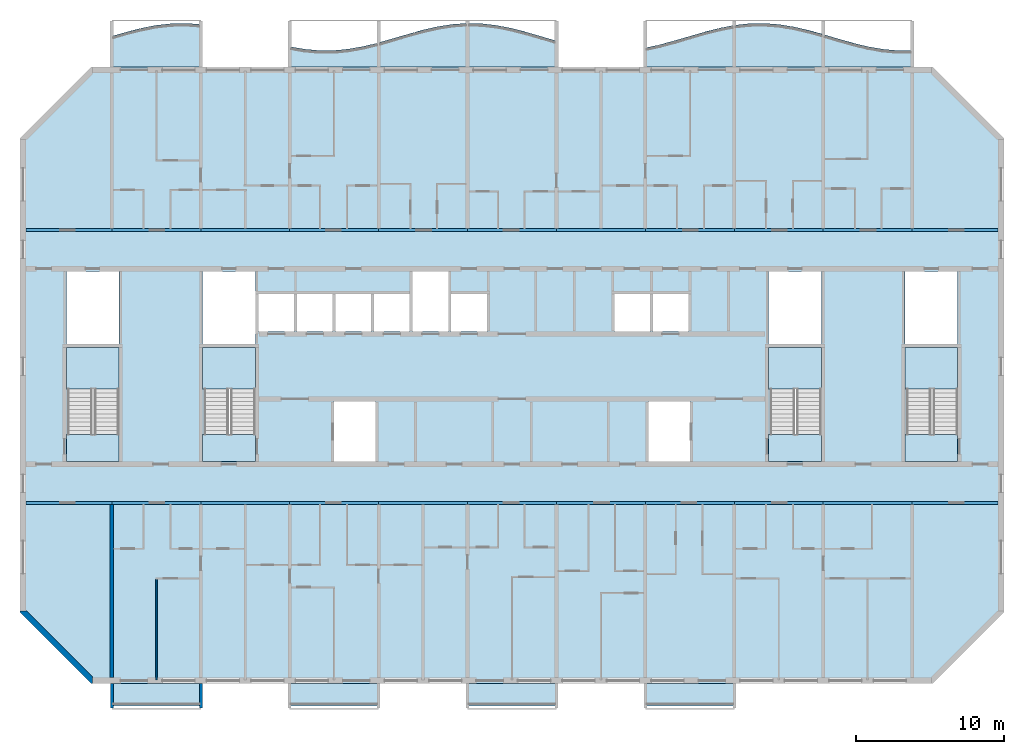
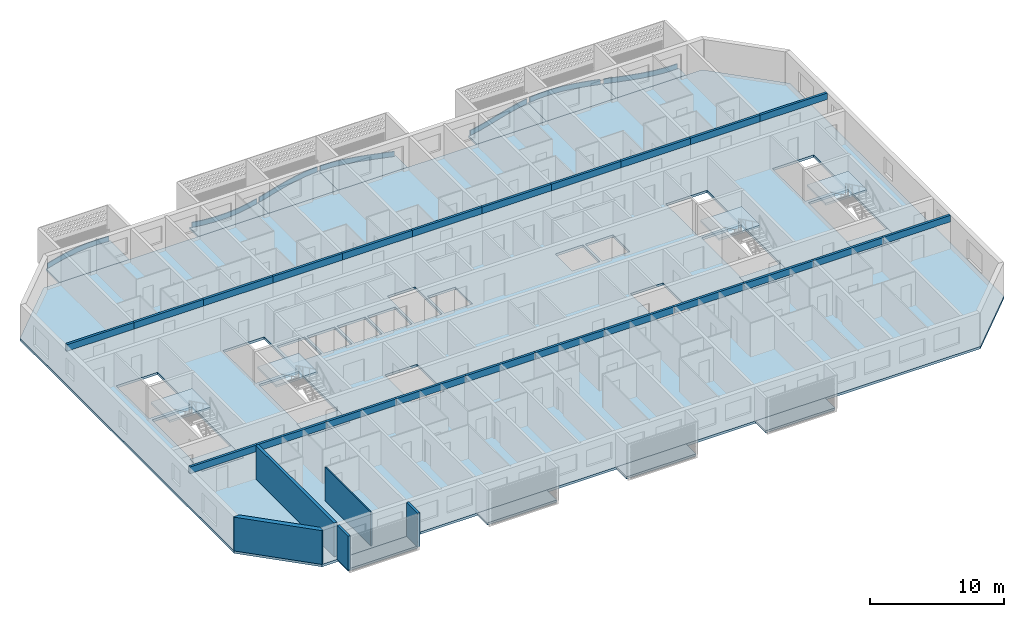
# One storey, part 1 of 29: 22 beams, 20 slabs, 7 plates, 5 walls, 4 elements without a shape of their own.
"""IFC4 building model written with IfcOpenShell, lengths in metres."""

import ifcopenshell
import ifcopenshell.guid

model = None  # the IFC model being written
_history = None  # IfcOwnerHistory: only IFC2X3 demands one
_inside = {}  # id of a spatial element -> (the spatial element, [elements in it])
_under = {}  # id of a project, library or spatial element -> (it, [spatial elements below it])
_declared = {}  # id of a project -> (the project, [libraries it declares])
_typed = {}  # id of a type object -> (the type object, [elements of that type])
_made_of = {}  # id of a material, layer set ... -> (it, [elements and type objects made of it])


def new_model(schema):
    """Start an empty IFC model of exactly this schema.

    Asked for "IFC4X3", IfcOpenShell would pick the latest addendum, in which some entities
    have other attributes; the version numbers below select the first issue.
    IFC2X3 requires an IfcOwnerHistory on every rooted entity: one is made here for all.
    """
    global model, _history
    if schema == "IFC4X3":
        model = ifcopenshell.file(schema_version=(4, 3, 0, 0))
    else:
        model = ifcopenshell.file(schema=schema)
    _inside.clear()
    _under.clear()
    _declared.clear()
    _typed.clear()
    _made_of.clear()
    _history = None
    if model.schema == "IFC2X3":
        org = make("IfcOrganization", Name="unknown")
        user = make(
            "IfcPersonAndOrganization",
            ThePerson=make("IfcPerson", FamilyName="unknown"),
            TheOrganization=org,
        )
        app = make(
            "IfcApplication",
            ApplicationDeveloper=org,
            Version="unknown",
            ApplicationFullName="unknown",
            ApplicationIdentifier="unknown",
        )
        _history = make(
            "IfcOwnerHistory",
            OwningUser=user,
            OwningApplication=app,
            ChangeAction="ADDED",
            CreationDate=0,
        )
    return model


def make(cls, **values):
    """One entity of the class cls with the attributes given. An attribute that is None is left unset."""
    return model.create_entity(
        cls, **{name: value for name, value in values.items() if value is not None}
    )


def rooted(cls, **values):
    """An entity with a GlobalId (a new one), such as an element, a storey or a relation."""
    return make(cls, GlobalId=ifcopenshell.guid.new(), OwnerHistory=_history, **values)


def si_unit(unit_type, name, prefix=None):
    """IfcSIUnit, for example si_unit("LENGTHUNIT", "METRE", prefix="MILLI")."""
    return make("IfcSIUnit", UnitType=unit_type, Prefix=prefix, Name=name)


def assignment(units):
    """IfcUnitAssignment: the units of a project."""
    return None if units is None else make("IfcUnitAssignment", Units=units)


def point(xyz):
    """IfcCartesianPoint."""
    return None if xyz is None else make("IfcCartesianPoint", Coordinates=xyz)


def direction(xyz):
    """IfcDirection."""
    return None if xyz is None else make("IfcDirection", DirectionRatios=xyz)


def frame(location, z_axis=None, x_axis=None):
    """IfcAxis2Placement3D, a coordinate frame: its origin and axes. An axis left out is left unset."""
    return make(
        "IfcAxis2Placement3D",
        Location=point(location),
        Axis=direction(z_axis),
        RefDirection=direction(x_axis),
    )


def frame_2d(location, x_axis=None):
    """IfcAxis2Placement2D, a coordinate frame in the plane: its origin and x axis."""
    return make(
        "IfcAxis2Placement2D", Location=point(location), RefDirection=direction(x_axis)
    )


def origin():
    """The frame at (0, 0, 0) with its axes left unset."""
    return frame((0.0, 0.0, 0.0))


def origin_2d():
    """The frame at (0, 0) in the plane with its x axis left unset."""
    return frame_2d((0.0, 0.0))


def place(relative_to, where):
    """IfcLocalPlacement: puts the frame where relative to a parent placement (None: the world)."""
    return make(
        "IfcLocalPlacement", PlacementRelTo=relative_to, RelativePlacement=where
    )


def context(
    kind, dimensions, precision=None, world=None, true_north=None, identifier=None
):
    """IfcGeometricRepresentationContext, for example the 3D "Model" context."""
    return make(
        "IfcGeometricRepresentationContext",
        ContextIdentifier=identifier,
        ContextType=kind,
        CoordinateSpaceDimension=dimensions,
        Precision=precision,
        WorldCoordinateSystem=world,
        TrueNorth=true_north,
    )


def subcontext(parent, identifier, kind, view, scale=None):
    """IfcGeometricRepresentationSubContext, for example "Body" below "Model"."""
    return make(
        "IfcGeometricRepresentationSubContext",
        ContextIdentifier=identifier,
        ContextType=kind,
        ParentContext=parent,
        TargetScale=scale,
        TargetView=view,
    )


def project(units=None, contexts=None):
    """IfcProject with its units and contexts."""
    return rooted(
        "IfcProject",
        Name="project",
        RepresentationContexts=contexts,
        UnitsInContext=assignment(units),
    )


def spatial(cls, under=None, at=None, **own):
    """A site, building, storey or space (cls), placed at a placement, below another one or the project."""
    s = rooted(cls, ObjectPlacement=at, **own)
    if under is not None:
        _under.setdefault(under.id(), (under, []))[1].append(s)
    return s


def polyline(points):
    """IfcPolyline through the points."""
    return make("IfcPolyline", Points=[point(p) for p in points])


def profile(cls, at=None, kind="AREA", **sizes):
    """A parametric profile (cls). Its sizes go by their IFC names, for example OverallWidth=200.0."""
    return make(cls, ProfileType=kind, Position=at, **sizes)


def rectangle(**sizes):
    """IfcRectangleProfileDef."""
    return profile("IfcRectangleProfileDef", **sizes)


def outline(outer, holes=None, kind="AREA"):
    """IfcArbitraryClosedProfileDef: a profile drawn as a closed curve; with holes, ...WithVoids."""
    if holes is None:
        return make("IfcArbitraryClosedProfileDef", ProfileType=kind, OuterCurve=outer)
    return make(
        "IfcArbitraryProfileDefWithVoids",
        ProfileType=kind,
        OuterCurve=outer,
        InnerCurves=holes,
    )


def extrude(swept, where, along, depth):
    """IfcExtrudedAreaSolid: the profile swept, set in the frame where, extruded along a direction by depth."""
    return make(
        "IfcExtrudedAreaSolid",
        SweptArea=swept,
        Position=where,
        ExtrudedDirection=direction(along),
        Depth=depth,
    )


def shape(context_of_items, identifier, shape_type, items):
    """IfcShapeRepresentation: the items that make up one representation, for example the "Body"."""
    return make(
        "IfcShapeRepresentation",
        ContextOfItems=context_of_items,
        RepresentationIdentifier=identifier,
        RepresentationType=shape_type,
        Items=items,
    )


def source(mapping_origin, context_of_items, identifier, shape_type, items):
    """IfcRepresentationMap: a shape defined once, which mapped items show again and again."""
    return make(
        "IfcRepresentationMap",
        MappingOrigin=mapping_origin,
        MappedRepresentation=shape(context_of_items, identifier, shape_type, items),
    )


def transform(
    local_origin,
    x_axis=None,
    y_axis=None,
    z_axis=None,
    scale=None,
    scale2=None,
    scale3=None,
    uniform=True,
):
    """IfcCartesianTransformationOperator3D, or its non-uniform kind. x_axis, y_axis, z_axis: its Axis1, 2, 3."""
    if uniform:
        return make(
            "IfcCartesianTransformationOperator3D",
            Axis1=direction(x_axis),
            Axis2=direction(y_axis),
            LocalOrigin=point(local_origin),
            Scale=scale,
            Axis3=direction(z_axis),
        )
    return make(
        "IfcCartesianTransformationOperator3DnonUniform",
        Axis1=direction(x_axis),
        Axis2=direction(y_axis),
        LocalOrigin=point(local_origin),
        Scale=scale,
        Axis3=direction(z_axis),
        Scale2=scale2,
        Scale3=scale3,
    )


def mapped(mapping_source, mapping_target):
    """IfcMappedItem: shows the shape of a source again, moved by a transform."""
    return make(
        "IfcMappedItem", MappingSource=mapping_source, MappingTarget=mapping_target
    )


def material(Name=None, Category=None):
    """IfcMaterial."""
    return make("IfcMaterial", Name=Name, Category=Category)


def layer(
    of_material, thickness, ventilated=None, Name=None, Category=None, Priority=None
):
    """IfcMaterialLayer: one layer of a wall or slab, of a material (None: an air gap)."""
    return make(
        "IfcMaterialLayer",
        Material=of_material,
        LayerThickness=thickness,
        IsVentilated=ventilated,
        Name=Name,
        Category=Category,
        Priority=Priority,
    )


def layer_set(layers, Name=None):
    """IfcMaterialLayerSet."""
    return make("IfcMaterialLayerSet", MaterialLayers=layers, LayerSetName=Name)


def material_profile(
    of_material, cross_section, Name=None, Category=None, Priority=None
):
    """IfcMaterialProfile: a cross section and its material."""
    return make(
        "IfcMaterialProfile",
        Name=Name,
        Material=of_material,
        Profile=cross_section,
        Priority=Priority,
        Category=Category,
    )


def profile_set(profiles, Name=None, composite=None):
    """IfcMaterialProfileSet."""
    return make(
        "IfcMaterialProfileSet",
        Name=Name,
        MaterialProfiles=profiles,
        CompositeProfile=composite,
    )


def made_of(thing, what):
    """Note that an element or type object is made of a material, layer set ...; save() writes the relation."""
    if what is not None:
        _made_of.setdefault(what.id(), (what, []))[1].append(thing)
    return thing


def type_object(cls, material=None, **own):
    """A type object (cls), such as IfcWallType, which elements share."""
    return made_of(rooted(cls, **own), material)


def element(
    cls,
    number,
    at=None,
    inside=None,
    cuts=None,
    type_object=None,
    material=None,
    context=None,
    identifier="Body",
    shape_type=None,
    held_by="IfcProductDefinitionShape",
    body=None,
    shapes=None,
    **own,
):
    """One element of the class cls, such as IfcWall. Its Tag is "e" and its number.

    at: its placement. inside: the storey or other place that contains it. cuts: it is an
    opening in that element (IfcRelVoidsElement). A single representation is given by context,
    identifier, shape_type and body (its items); several are given by shapes. held_by: the class
    of the entity that holds the representations. save() writes the other relations.
    """
    e = rooted(cls, Tag="e%d" % number, ObjectPlacement=at, **own)
    if body is not None:
        shapes = [shape(context, identifier, shape_type, body)]
    if shapes is not None:
        e.Representation = make(held_by, Representations=shapes)
    if inside is not None:
        _inside.setdefault(inside.id(), (inside, []))[1].append(e)
    if cuts is not None:
        rooted(
            "IfcRelVoidsElement", RelatingBuildingElement=cuts, RelatedOpeningElement=e
        )
    if type_object is not None:
        _typed.setdefault(type_object.id(), (type_object, []))[1].append(e)
    return made_of(e, material)


def aggregate(whole, parts):
    """IfcRelAggregates: a whole, such as a stair, and the parts it consists of."""
    return rooted("IfcRelAggregates", RelatingObject=whole, RelatedObjects=parts)


def save(model, path):
    """Write the relations noted so far, then the file.

    IfcRelAggregates (storeys below a building ...), IfcRelContainedInSpatialStructure (elements
    in a storey), IfcRelDefinesByType, IfcRelAssociatesMaterial and IfcRelDeclares: one each for
    every whole, place, type object, material and project.
    """
    for whole, parts in _under.values():
        aggregate(whole, parts)
    for where, things in _inside.values():
        rooted(
            "IfcRelContainedInSpatialStructure",
            RelatedElements=things,
            RelatingStructure=where,
        )
    for kind, things in _typed.values():
        rooted("IfcRelDefinesByType", RelatedObjects=things, RelatingType=kind)
    for what, things in _made_of.values():
        rooted("IfcRelAssociatesMaterial", RelatedObjects=things, RelatingMaterial=what)
    for by, libraries in _declared.values():
        rooted("IfcRelDeclares", RelatingContext=by, RelatedDefinitions=libraries)
    model.write(path)


model = new_model("IFC4")

# Units and contexts
model_context = context("Model", 3, precision=1e-05, world=origin(), true_north=direction((0.0, 1.0)))
body_context = subcontext(model_context, "Body", "Model", "MODEL_VIEW")
ifc_project = project(units=[si_unit("LENGTHUNIT", "METRE"), si_unit("AREAUNIT", "SQUARE_METRE"), si_unit("VOLUMEUNIT", "CUBIC_METRE"), si_unit("PLANEANGLEUNIT", "RADIAN"), si_unit("MASSUNIT", "GRAM", prefix="KILO")], contexts=[model_context])

# Site, building, storey
site_placement = place(None, origin())
site = spatial("IfcSite", under=ifc_project, at=site_placement, CompositionType="ELEMENT")
building_placement = place(site_placement, origin())
building = spatial("IfcBuilding", under=site, at=building_placement, Name="Poui Terraces", CompositionType="ELEMENT")
storey_placement = place(building_placement, frame((0.0, 0.0, 234.60009765625)))
storey = spatial("IfcBuildingStorey", under=building, at=storey_placement, Name="L65", CompositionType="ELEMENT", Elevation=234.60009765625)

# Beams
ifc_material_1 = material(Name="Concrete 50 MPa", Category="concrete")
ifc_material_profile = material_profile(ifc_material_1, rectangle(XDim=0.199951171875, YDim=0.60009765625, at=origin_2d()), Name="RC 200x600")
ifc_profile_set = profile_set([ifc_material_profile], Name="Concrete 50 MPa")
beam_type = type_object("IfcBeamType", Name="COUPLING BEAM 200x600 50MPa", PredefinedType="BEAM", material=ifc_profile_set)
shared_shape_1 = source(origin(), body_context, "Body", "SweptSolid", [
    extrude(rectangle(XDim=0.199951171875, YDim=0.60009765625, at=origin_2d()), origin(), (0.0, 0.0, 1.0), 5.800048828125),
])
for number, where, z_axis, x_axis, name in (
    (1, (18.199951171875, 12.0, 2.77978515625), (1.0, 0.0, 0.0), (0.0, 1.0, 0.0), "COUPLING BEAM LINE B BAY 1"),
    (2, (78.0, 12.0, 2.77978515625), (1.0, 0.0, 0.0), (0.0, 1.0, 0.0), "COUPLING BEAM LINE B BAY 11"),
    (3, (18.199951171875, 30.39990234375, 2.77978515625), (1.0, 0.0, 0.0), (0.0, 1.0, 0.0), "COUPLING BEAM LINE E BAY 1"),
    (4, (78.0, 30.39990234375, 2.77978515625), (1.0, 0.0, 0.0), (0.0, 1.0, 0.0), "COUPLING BEAM LINE E BAY 11"),
):
    element("IfcBeam", number, at=place(storey_placement, frame(where, z_axis=z_axis, x_axis=x_axis)), inside=storey, type_object=beam_type, Name=name, PredefinedType="BEAM", context=body_context, shape_type="MappedRepresentation", body=[
        mapped(shared_shape_1, transform((0.0, 0.0, 0.0))),
    ])
shared_shape_2 = source(origin(), body_context, "Body", "SweptSolid", [
    extrude(rectangle(XDim=0.199951171875, YDim=0.60009765625, at=origin_2d()), origin(), (0.0, 0.0, 1.0), 6.0),
])
for number, where, z_axis, x_axis, name in (
    (5, (24.0, 12.0, 2.77978515625), (1.0, 0.0, 0.0), (0.0, 1.0, 0.0), "COUPLING BEAM LINE B BAY 2"),
    (6, (30.0, 12.0, 2.77978515625), (1.0, 0.0, 0.0), (0.0, 1.0, 0.0), "COUPLING BEAM LINE B BAY 3"),
    (7, (36.0, 12.0, 2.77978515625), (1.0, 0.0, 0.0), (0.0, 1.0, 0.0), "COUPLING BEAM LINE B BAY 4"),
    (8, (42.0, 12.0, 2.77978515625), (1.0, 0.0, 0.0), (0.0, 1.0, 0.0), "COUPLING BEAM LINE B BAY 5"),
    (9, (48.0, 12.0, 2.77978515625), (1.0, 0.0, 0.0), (0.0, 1.0, 0.0), "COUPLING BEAM LINE B BAY 6"),
    (10, (54.0, 12.0, 2.77978515625), (1.0, 0.0, 0.0), (0.0, 1.0, 0.0), "COUPLING BEAM LINE B BAY 7"),
    (11, (60.0, 12.0, 2.77978515625), (1.0, 0.0, 0.0), (0.0, 1.0, 0.0), "COUPLING BEAM LINE B BAY 8"),
    (12, (66.0, 12.0, 2.77978515625), (1.0, 0.0, 0.0), (0.0, 1.0, 0.0), "COUPLING BEAM LINE B BAY 9"),
    (13, (72.0, 12.0, 2.77978515625), (1.0, 0.0, 0.0), (0.0, 1.0, 0.0), "COUPLING BEAM LINE B BAY 10"),
    (14, (24.0, 30.39990234375, 2.77978515625), (1.0, 0.0, 0.0), (0.0, 1.0, 0.0), "COUPLING BEAM LINE E BAY 2"),
    (15, (30.0, 30.39990234375, 2.77978515625), (1.0, 0.0, 0.0), (0.0, 1.0, 0.0), "COUPLING BEAM LINE E BAY 3"),
    (16, (36.0, 30.39990234375, 2.77978515625), (1.0, 0.0, 0.0), (0.0, 1.0, 0.0), "COUPLING BEAM LINE E BAY 4"),
    (17, (42.0, 30.39990234375, 2.77978515625), (1.0, 0.0, 0.0), (0.0, 1.0, 0.0), "COUPLING BEAM LINE E BAY 5"),
    (18, (48.0, 30.39990234375, 2.77978515625), (1.0, 0.0, 0.0), (0.0, 1.0, 0.0), "COUPLING BEAM LINE E BAY 6"),
    (19, (54.0, 30.39990234375, 2.77978515625), (1.0, 0.0, 0.0), (0.0, 1.0, 0.0), "COUPLING BEAM LINE E BAY 7"),
    (20, (60.0, 30.39990234375, 2.77978515625), (1.0, 0.0, 0.0), (0.0, 1.0, 0.0), "COUPLING BEAM LINE E BAY 8"),
    (21, (66.0, 30.39990234375, 2.77978515625), (1.0, 0.0, 0.0), (0.0, 1.0, 0.0), "COUPLING BEAM LINE E BAY 9"),
    (22, (72.0, 30.39990234375, 2.77978515625), (1.0, 0.0, 0.0), (0.0, 1.0, 0.0), "COUPLING BEAM LINE E BAY 10"),
):
    element("IfcBeam", number, at=place(storey_placement, frame(where, z_axis=z_axis, x_axis=x_axis)), inside=storey, type_object=beam_type, Name=name, PredefinedType="BEAM", context=body_context, shape_type="MappedRepresentation", body=[
        mapped(shared_shape_2, transform((0.0, 0.0, 0.0))),
    ])

# Slabs
ifc_material_2 = material(Name="Precast concrete 40 MPa", Category="concrete")
ifc_layer_1 = layer(ifc_material_2, 0.199951171875)
ifc_layer_set_1 = layer_set([ifc_layer_1], Name="Precast concrete 40 MPa")
slab_type_1 = type_object("IfcSlabType", Name="BALCONY SLAB 200", PredefinedType="FLOOR", material=ifc_layer_set_1)
slab_1_placement = place(storey_placement, frame((0.0, 0.0, -0.2001953125)))
element("IfcSlab", 23, at=slab_1_placement, inside=storey, type_object=slab_type_1, Name="BALCONY SLAB", PredefinedType="FLOOR", context=body_context, shape_type="SweptSolid", body=[
    extrude(outline(polyline([(24.0, 41.39990234375), (30.0, 41.39990234375), (30.0, 44.27099609375), (29.0, 44.345947265625), (28.0, 44.325927734375), (27.0, 44.21337890625), (26.0, 44.01953125), (25.0, 43.7646484375), (24.0, 43.474609375), (24.0, 41.39990234375)])), origin(), (0.0, 0.0, 1.0), 0.2001953125),
])
slab_2_placement = place(storey_placement, frame((0.0, 0.0, -0.2001953125)))
element("IfcSlab", 24, at=slab_2_placement, inside=storey, type_object=slab_type_1, Name="BALCONY SLAB", PredefinedType="FLOOR", context=body_context, shape_type="SweptSolid", body=[
    extrude(outline(polyline([(36.0, 41.39990234375), (42.0, 41.39990234375), (42.0, 43.039794921875), (41.0, 42.793212890625), (40.0, 42.61181640625), (39.0, 42.51416015625), (38.0, 42.510009765625), (37.0, 42.600341796875), (36.0, 42.775390625), (36.0, 41.39990234375)])), origin(), (0.0, 0.0, 1.0), 0.2001953125),
])
slab_3_placement = place(storey_placement, frame((0.0, 0.0, -0.2001953125)))
element("IfcSlab", 25, at=slab_3_placement, inside=storey, type_object=slab_type_1, Name="BALCONY SLAB", PredefinedType="FLOOR", context=body_context, shape_type="SweptSolid", body=[
    extrude(outline(polyline([(42.0, 41.39990234375), (48.0, 41.39990234375), (48.0, 44.347900390625), (47.0, 44.28076171875), (46.0, 44.12548828125), (45.0, 43.898193359375), (44.0, 43.622314453125), (43.0, 43.32568359375), (42.0, 43.039794921875), (42.0, 41.39990234375)])), origin(), (0.0, 0.0, 1.0), 0.2001953125),
])
slab_4_placement = place(storey_placement, frame((0.0, 0.0, -0.2001953125)))
element("IfcSlab", 26, at=slab_4_placement, inside=storey, type_object=slab_type_1, Name="BALCONY SLAB", PredefinedType="FLOOR", context=body_context, shape_type="SweptSolid", body=[
    extrude(outline(polyline([(48.0, 41.39990234375), (54.0, 41.39990234375), (54.0, 43.15576171875), (53.0, 43.44970703125), (52.0, 43.741455078125), (51.0, 44.000244140625), (50.0, 44.2001953125), (49.0, 44.320068359375), (48.0, 44.347900390625), (48.0, 41.39990234375)])), origin(), (0.0, 0.0, 1.0), 0.2001953125),
])
slab_5_placement = place(storey_placement, frame((0.0, 0.0, -0.2001953125)))
element("IfcSlab", 27, at=slab_5_placement, inside=storey, type_object=slab_type_1, Name="BALCONY SLAB", PredefinedType="FLOOR", context=body_context, shape_type="SweptSolid", body=[
    extrude(outline(polyline([(60.0, 41.39990234375), (66.0, 41.39990234375), (66.0, 44.21337890625), (65.0, 44.01953125), (64.0, 43.7646484375), (63.0, 43.474609375), (62.0, 43.1796875), (61.0, 42.909912109375), (60.0, 42.693115234375), (60.0, 41.39990234375)])), origin(), (0.0, 0.0, 1.0), 0.2001953125),
])
slab_6_placement = place(storey_placement, frame((0.0, 0.0, -0.2001953125)))
element("IfcSlab", 28, at=slab_6_placement, inside=storey, type_object=slab_type_1, Name="BALCONY SLAB", PredefinedType="FLOOR", context=body_context, shape_type="SweptSolid", body=[
    extrude(outline(polyline([(66.0, 41.39990234375), (72.0, 41.39990234375), (72.0, 43.597900390625), (71.0, 43.876708984375), (70.0, 44.109130859375), (69.0, 44.27099609375), (68.0, 44.345947265625), (67.0, 44.325927734375), (66.0, 44.21337890625), (66.0, 41.39990234375)])), origin(), (0.0, 0.0, 1.0), 0.2001953125),
])
slab_7_placement = place(storey_placement, frame((0.0, 0.0, -0.2001953125)))
element("IfcSlab", 29, at=slab_7_placement, inside=storey, type_object=slab_type_1, Name="BALCONY SLAB", PredefinedType="FLOOR", context=body_context, shape_type="SweptSolid", body=[
    extrude(outline(polyline([(72.0, 41.39990234375), (78.0, 41.39990234375), (78.0, 42.51416015625), (77.0, 42.510009765625), (76.0, 42.600341796875), (75.0, 42.775390625), (74.0, 43.017333984375), (73.0, 43.30126953125), (72.0, 43.597900390625), (72.0, 41.39990234375)])), origin(), (0.0, 0.0, 1.0), 0.2001953125),
])

# Stair, slabs
stair_type = type_object("IfcStairType", Name="EXIT STAIR 1650 50 MPA", PredefinedType="HALF_TURN_STAIR", material=ifc_material_1)
stair_1_placement = place(storey_placement, origin())
stair_1 = element("IfcStair", 30, at=stair_1_placement, inside=storey, type_object=stair_type, Name="L65 CORE STAIR EAST", PredefinedType="HALF_TURN_STAIR")
ifc_layer_2 = layer(ifc_material_1, 0.199951171875)
ifc_layer_set_2 = layer_set([ifc_layer_2], Name="Concrete 50 MPa")
slab_type_2 = type_object("IfcSlabType", Name="STAIR LANDING 200 50 MPA", PredefinedType="LANDING", material=ifc_layer_set_2)
slab_8_placement = place(storey_placement, frame((0.0, 0.0, 1.44970703125)))
slab_8 = element("IfcSlab", 31, at=slab_8_placement, type_object=slab_type_2, Name="ST-CE landing 1", PredefinedType="LANDING", context=body_context, shape_type="SweptSolid", body=[
    extrude(outline(polyline([(68.324951171875, 19.679931640625), (71.875, 19.679931640625), (71.875, 22.47509765625), (68.324951171875, 22.47509765625), (68.324951171875, 19.679931640625)])), origin(), (0.0, 0.0, 1.0), 0.2001953125),
])
slab_9_placement = place(storey_placement, frame((0.0, 0.0, -0.2001953125)))
slab_9 = element("IfcSlab", 32, at=slab_9_placement, type_object=slab_type_2, Name="ST-CE landing 2", PredefinedType="LANDING", context=body_context, shape_type="SweptSolid", body=[
    extrude(outline(polyline([(68.324951171875, 14.77490234375), (71.875, 14.77490234375), (71.875, 16.60009765625), (68.324951171875, 16.60009765625), (68.324951171875, 14.77490234375)])), origin(), (0.0, 0.0, 1.0), 0.2001953125),
])
aggregate(stair_1, [slab_8, slab_9])

stair_2_placement = place(storey_placement, origin())
stair_2 = element("IfcStair", 33, at=stair_2_placement, inside=storey, type_object=stair_type, Name="L65 CORE STAIR WEST", PredefinedType="HALF_TURN_STAIR")
slab_10_placement = place(storey_placement, frame((0.0, 0.0, 1.44970703125)))
slab_10 = element("IfcSlab", 34, at=slab_10_placement, type_object=slab_type_2, Name="ST-CW landing 1", PredefinedType="LANDING", context=body_context, shape_type="SweptSolid", body=[
    extrude(outline(polyline([(30.125, 19.679931640625), (33.675048828125, 19.679931640625), (33.675048828125, 22.47509765625), (30.125, 22.47509765625), (30.125, 19.679931640625)])), origin(), (0.0, 0.0, 1.0), 0.2001953125),
])
slab_11_placement = place(storey_placement, frame((0.0, 0.0, -0.2001953125)))
slab_11 = element("IfcSlab", 35, at=slab_11_placement, type_object=slab_type_2, Name="ST-CW landing 2", PredefinedType="LANDING", context=body_context, shape_type="SweptSolid", body=[
    extrude(outline(polyline([(30.125, 14.77490234375), (33.675048828125, 14.77490234375), (33.675048828125, 16.60009765625), (30.125, 16.60009765625), (30.125, 14.77490234375)])), origin(), (0.0, 0.0, 1.0), 0.2001953125),
])
aggregate(stair_2, [slab_10, slab_11])

stair_3_placement = place(storey_placement, origin())
stair_3 = element("IfcStair", 36, at=stair_3_placement, inside=storey, type_object=stair_type, Name="L65 TIP STAIR EAST", PredefinedType="HALF_TURN_STAIR")
slab_12_placement = place(storey_placement, frame((0.0, 0.0, 1.44970703125)))
slab_12 = element("IfcSlab", 37, at=slab_12_placement, type_object=slab_type_2, Name="ST-E landing 1", PredefinedType="LANDING", context=body_context, shape_type="SweptSolid", body=[
    extrude(outline(polyline([(77.52490234375, 19.679931640625), (81.074951171875, 19.679931640625), (81.074951171875, 22.47509765625), (77.52490234375, 22.47509765625), (77.52490234375, 19.679931640625)])), origin(), (0.0, 0.0, 1.0), 0.2001953125),
])
slab_13_placement = place(storey_placement, frame((0.0, 0.0, -0.2001953125)))
slab_13 = element("IfcSlab", 38, at=slab_13_placement, type_object=slab_type_2, Name="ST-E landing 2", PredefinedType="LANDING", context=body_context, shape_type="SweptSolid", body=[
    extrude(outline(polyline([(77.52490234375, 14.77490234375), (81.074951171875, 14.77490234375), (81.074951171875, 16.60009765625), (77.52490234375, 16.60009765625), (77.52490234375, 14.77490234375)])), origin(), (0.0, 0.0, 1.0), 0.2001953125),
])
aggregate(stair_3, [slab_12, slab_13])

stair_4_placement = place(storey_placement, origin())
stair_4 = element("IfcStair", 39, at=stair_4_placement, inside=storey, type_object=stair_type, Name="L65 TIP STAIR WEST", PredefinedType="HALF_TURN_STAIR")
slab_14_placement = place(storey_placement, frame((0.0, 0.0, 1.44970703125)))
slab_14 = element("IfcSlab", 40, at=slab_14_placement, type_object=slab_type_2, Name="ST-W landing 1", PredefinedType="LANDING", context=body_context, shape_type="SweptSolid", body=[
    extrude(outline(polyline([(20.925048828125, 19.679931640625), (24.47509765625, 19.679931640625), (24.47509765625, 22.47509765625), (20.925048828125, 22.47509765625), (20.925048828125, 19.679931640625)])), origin(), (0.0, 0.0, 1.0), 0.2001953125),
])
slab_15_placement = place(storey_placement, frame((0.0, 0.0, -0.2001953125)))
slab_15 = element("IfcSlab", 41, at=slab_15_placement, type_object=slab_type_2, Name="ST-W landing 2", PredefinedType="LANDING", context=body_context, shape_type="SweptSolid", body=[
    extrude(outline(polyline([(20.925048828125, 14.77490234375), (24.47509765625, 14.77490234375), (24.47509765625, 16.60009765625), (20.925048828125, 16.60009765625), (20.925048828125, 14.77490234375)])), origin(), (0.0, 0.0, 1.0), 0.2001953125),
])
aggregate(stair_4, [slab_14, slab_15])

# Plates
ifc_layer_3 = layer(ifc_material_2, 0.080078125)
ifc_layer_set_3 = layer_set([ifc_layer_3], Name="Precast concrete 40 MPa")
plate_type = type_object("IfcPlateType", Name="SUNSHADE UPSTAND 80", PredefinedType="SHEET", material=ifc_layer_set_3)
plate_1_placement = place(storey_placement, origin())
element("IfcPlate", 42, at=plate_1_placement, inside=storey, type_object=plate_type, Name="SUNSHADE UPSTAND", PredefinedType="SHEET", context=body_context, shape_type="SweptSolid", body=[
    extrude(outline(polyline([(24.989501953125, 43.75830078125), (24.114013671875, 43.505126953125), (24.135986328125, 43.428466796875), (25.010498046875, 43.680908203125), (26.0087890625, 43.935546875), (27.006103515625, 44.12890625), (28.002685546875, 44.2412109375), (28.9990234375, 44.260986328125), (29.872314453125, 44.200439453125), (29.877685546875, 44.2802734375), (29.856201171875, 44.28173828125), (29.0009765625, 44.3408203125), (27.997314453125, 44.321044921875), (26.993896484375, 44.2080078125), (25.9912109375, 44.013671875), (24.989501953125, 43.75830078125)])), origin(), (0.0, 0.0, 1.0), 0.449951171875),
])
plate_2_placement = place(storey_placement, origin())
element("IfcPlate", 43, at=plate_2_placement, inside=storey, type_object=plate_type, Name="SUNSHADE UPSTAND", PredefinedType="SHEET", context=body_context, shape_type="SweptSolid", body=[
    extrude(outline(polyline([(37.005126953125, 42.594970703125), (36.131591796875, 42.743896484375), (36.118408203125, 42.664794921875), (36.994873046875, 42.515625), (37.998291015625, 42.425048828125), (39.001953125, 42.42919921875), (40.005615234375, 42.527099609375), (41.00830078125, 42.708984375), (41.884521484375, 42.92236328125), (41.865478515625, 43.0), (40.99169921875, 42.787353515625), (39.994384765625, 42.6064453125), (38.998046875, 42.509033203125), (38.001708984375, 42.505126953125), (37.005126953125, 42.594970703125)])), origin(), (0.0, 0.0, 1.0), 0.449951171875),
])
plate_3_placement = place(storey_placement, origin())
element("IfcPlate", 44, at=plate_3_placement, inside=storey, type_object=plate_type, Name="SUNSHADE UPSTAND", PredefinedType="SHEET", context=body_context, shape_type="SweptSolid", body=[
    extrude(outline(polyline([(42.98876953125, 43.319091796875), (42.114013671875, 43.0673828125), (42.135986328125, 42.990478515625), (43.01123046875, 43.242431640625), (44.010986328125, 43.538818359375), (45.009765625, 43.814453125), (46.007568359375, 44.041259765625), (47.00439453125, 44.196044921875), (47.8779296875, 44.259765625), (47.8720703125, 44.33935546875), (47.83203125, 44.336669921875), (46.99560546875, 44.275390625), (45.992431640625, 44.119873046875), (44.990234375, 43.89208984375), (43.989013671875, 43.615478515625), (42.98876953125, 43.319091796875)])), origin(), (0.0, 0.0, 1.0), 0.449951171875),
])
plate_4_placement = place(storey_placement, origin())
element("IfcPlate", 45, at=plate_4_placement, inside=storey, type_object=plate_type, Name="SUNSHADE UPSTAND", PredefinedType="SHEET", context=body_context, shape_type="SweptSolid", body=[
    extrude(outline(polyline([(49.003173828125, 44.31494140625), (48.16748046875, 44.34326171875), (48.126220703125, 44.344482421875), (48.12353515625, 44.2646484375), (48.996826171875, 44.235107421875), (49.99365234375, 44.115478515625), (50.9912109375, 43.916259765625), (51.989501953125, 43.65771484375), (52.98876953125, 43.366455078125), (53.86376953125, 43.108154296875), (53.88623046875, 43.18505859375), (53.01123046875, 43.443115234375), (52.010498046875, 43.73486328125), (51.0087890625, 43.994384765625), (50.00634765625, 44.194580078125), (49.003173828125, 44.31494140625)])), origin(), (0.0, 0.0, 1.0), 0.449951171875),
])
plate_5_placement = place(storey_placement, origin())
element("IfcPlate", 46, at=plate_5_placement, inside=storey, type_object=plate_type, Name="SUNSHADE UPSTAND", PredefinedType="SHEET", context=body_context, shape_type="SweptSolid", body=[
    extrude(outline(polyline([(60.990478515625, 42.90380859375), (60.116455078125, 42.71044921875), (60.133544921875, 42.63232421875), (61.009521484375, 42.825927734375), (62.010986328125, 43.09619140625), (63.01123046875, 43.391357421875), (64.010498046875, 43.680908203125), (65.0087890625, 43.935546875), (65.8828125, 44.10888671875), (65.8671875, 44.1875), (64.9912109375, 44.013671875), (63.989501953125, 43.75830078125), (62.98876953125, 43.468017578125), (61.989013671875, 43.173095703125), (60.990478515625, 42.90380859375)])), origin(), (0.0, 0.0, 1.0), 0.449951171875),
])
plate_6_placement = place(storey_placement, origin())
element("IfcPlate", 47, at=plate_6_placement, inside=storey, type_object=plate_type, Name="SUNSHADE UPSTAND", PredefinedType="SHEET", context=body_context, shape_type="SweptSolid", body=[
    extrude(outline(polyline([(66.99755859375, 44.321044921875), (66.123291015625, 44.227294921875), (66.12060546875, 44.22705078125), (66.12939453125, 44.1474609375), (67.00244140625, 44.2412109375), (67.998779296875, 44.260986328125), (68.995361328125, 44.186279296875), (69.9921875, 44.02490234375), (70.989990234375, 43.79296875), (71.8642578125, 43.55078125), (71.8857421875, 43.627685546875), (71.010009765625, 43.87060546875), (70.0078125, 44.103271484375), (69.004638671875, 44.265869140625), (68.001220703125, 44.3408203125), (66.99755859375, 44.321044921875)])), origin(), (0.0, 0.0, 1.0), 0.449951171875),
])
plate_7_placement = place(storey_placement, origin())
element("IfcPlate", 48, at=plate_7_placement, inside=storey, type_object=plate_type, Name="SUNSHADE UPSTAND", PredefinedType="SHEET", context=body_context, shape_type="SweptSolid", body=[
    extrude(outline(polyline([(73.01123046875, 43.294677734375), (72.136474609375, 43.554443359375), (72.113525390625, 43.477783203125), (72.98876953125, 43.2177734375), (73.98974609375, 42.93359375), (74.99169921875, 42.691162109375), (75.99462890625, 42.515625), (76.998291015625, 42.425048828125), (77.875, 42.42333984375), (77.875, 42.50341796875), (77.001708984375, 42.505126953125), (76.00537109375, 42.594970703125), (75.00830078125, 42.76953125), (74.01025390625, 43.010986328125), (73.01123046875, 43.294677734375)])), origin(), (0.0, 0.0, 1.0), 0.449951171875),
])

# Slabs
ifc_material_3 = material(Name="Concrete 40 MPa", Category="concrete")
ifc_layer_4 = layer(ifc_material_3, 0.219970703125)
ifc_layer_set_4 = layer_set([ifc_layer_4], Name="Concrete 40 MPa")
slab_type_3 = type_object("IfcSlabType", Name="FLOOR SLAB 220", PredefinedType="FLOOR", material=ifc_layer_set_4)
shared_shape_3 = source(origin(), body_context, "Body", "SweptSolid", [
    extrude(outline(polyline([(0.0, 0.0), (4.800048828125, -4.800048828125), (61.599853515625, -4.800048828125), (66.39990234375, 0.0), (66.39990234375, 32.0), (61.599853515625, 36.7998046875), (4.800048828125, 36.7998046875), (0.0, 32.0), (0.0, 0.0)]), holes=[polyline([(21.199951171875, 10.1748046875), (21.199951171875, 14.224853515625), (24.0, 14.224853515625), (24.0, 10.1748046875), (21.199951171875, 10.1748046875)]), polyline([(3.224853515625, 17.849853515625), (6.675048828125, 17.849853515625), (6.675048828125, 12.0), (6.675048828125, 10.1748046875), (3.125, 10.1748046875), (3.125, 12.0), (3.224853515625, 12.0), (3.224853515625, 17.849853515625)]), polyline([(12.425048828125, 17.849853515625), (15.875, 17.849853515625), (15.875, 12.0), (15.875, 10.1748046875), (12.324951171875, 10.1748046875), (12.324951171875, 12.0), (12.425048828125, 12.0), (12.425048828125, 17.849853515625)]), polyline([(16.099853515625, 18.974853515625), (16.099853515625, 21.5), (18.5, 21.5), (18.5, 18.974853515625), (16.099853515625, 18.974853515625)]), polyline([(18.699951171875, 18.974853515625), (18.699951171875, 21.5), (21.099853515625, 21.5), (21.099853515625, 18.974853515625), (18.699951171875, 18.974853515625)]), polyline([(21.300048828125, 18.974853515625), (21.300048828125, 21.5), (23.699951171875, 21.5), (23.699951171875, 18.974853515625), (21.300048828125, 18.974853515625)]), polyline([(23.89990234375, 18.974853515625), (23.89990234375, 21.5), (26.300048828125, 21.5), (26.300048828125, 18.974853515625), (23.89990234375, 18.974853515625)]), polyline([(3.125, 23.02490234375), (6.675048828125, 23.02490234375), (6.675048828125, 18.125), (3.125, 18.125), (3.125, 23.02490234375)]), polyline([(12.324951171875, 23.02490234375), (15.875, 23.02490234375), (15.875, 18.125), (12.324951171875, 18.125), (12.324951171875, 23.02490234375)]), polyline([(42.39990234375, 10.1748046875), (42.39990234375, 14.224853515625), (45.199951171875, 14.224853515625), (45.199951171875, 10.1748046875), (42.39990234375, 10.1748046875)]), polyline([(50.625, 17.849853515625), (54.074951171875, 17.849853515625), (54.074951171875, 12.0), (54.074951171875, 10.1748046875), (50.52490234375, 10.1748046875), (50.52490234375, 12.0), (50.625, 12.0), (50.625, 17.849853515625)]), polyline([(59.824951171875, 17.849853515625), (63.27490234375, 17.849853515625), (63.27490234375, 12.0), (63.27490234375, 10.1748046875), (59.724853515625, 10.1748046875), (59.724853515625, 12.0), (59.824951171875, 12.0), (59.824951171875, 17.849853515625)]), polyline([(29.099853515625, 18.974853515625), (29.099853515625, 21.5), (31.5, 21.5), (31.5, 18.974853515625), (29.099853515625, 18.974853515625)]), polyline([(40.099853515625, 18.974853515625), (40.099853515625, 21.5), (42.5, 21.5), (42.5, 18.974853515625), (40.099853515625, 18.974853515625)]), polyline([(42.699951171875, 18.974853515625), (42.699951171875, 21.5), (45.099853515625, 21.5), (45.099853515625, 18.974853515625), (42.699951171875, 18.974853515625)]), polyline([(50.52490234375, 18.125), (50.52490234375, 23.02490234375), (54.074951171875, 23.02490234375), (54.074951171875, 18.125), (50.52490234375, 18.125)]), polyline([(59.724853515625, 23.02490234375), (63.27490234375, 23.02490234375), (63.27490234375, 18.125), (59.724853515625, 18.125), (59.724853515625, 23.02490234375)]), polyline([(26.5, 23.02490234375), (28.89990234375, 23.02490234375), (28.89990234375, 18.974853515625), (26.5, 18.974853515625), (26.5, 23.02490234375)])]), origin(), (0.0, 0.0, 1.0), 0.22021484375),
])
slab_16_placement = place(storey_placement, frame((17.800048828125, 4.60009765625, -0.22021484375)))
element("IfcSlab", 49, at=slab_16_placement, inside=storey, type_object=slab_type_3, Name="FLOOR SLAB", PredefinedType="FLOOR", context=body_context, shape_type="MappedRepresentation", body=[
    mapped(shared_shape_3, transform((0.0, 0.0, 0.0))),
])
ifc_layer_5 = layer(ifc_material_2, 0.199951171875)
ifc_layer_set_5 = layer_set([ifc_layer_5], Name="Precast concrete 40 MPa")
slab_type_4 = type_object("IfcSlabType", Name="REAR BALCONY SLAB 200", PredefinedType="FLOOR", material=ifc_layer_set_5)
shared_shape_4 = source(origin(), body_context, "Body", "SweptSolid", [
    extrude(outline(polyline([(0.0, 0.0), (6.0, 0.0), (6.0, 1.5), (0.0, 1.5), (0.0, 0.0)])), origin(), (0.0, 0.0, 1.0), 0.2001953125),
])
for number, where, name in (
    (50, (24.0, -1.699951171875, -0.2001953125), "REAR BALCONY SLAB"),
    (51, (36.0, -1.699951171875, -0.2001953125), "REAR BALCONY SLAB"),
    (52, (48.0, -1.699951171875, -0.2001953125), "REAR BALCONY SLAB"),
    (53, (60.0, -1.699951171875, -0.2001953125), "REAR BALCONY SLAB"),
):
    element("IfcSlab", number, at=place(storey_placement, frame(where)), inside=storey, type_object=slab_type_4, Name=name, PredefinedType="FLOOR", context=body_context, shape_type="MappedRepresentation", body=[
        mapped(shared_shape_4, transform((0.0, 0.0, 0.0))),
    ])

# Walls
ifc_layer_6 = layer(ifc_material_1, 0.25)
ifc_layer_set_6 = layer_set([ifc_layer_6], Name="Concrete 50 MPa")
wall_type_1 = type_object("IfcWallType", Name="CROSS WALL 250 50MPa", PredefinedType="SHEAR", material=ifc_layer_set_6)
wall_1_placement = place(storey_placement, frame((24.0, 0.199951171875, 0.0), z_axis=(0.0, 0.0, 1.0), x_axis=(0.0, 1.0, 0.0)))
element("IfcWall", 54, at=wall_1_placement, inside=storey, type_object=wall_type_1, Name="CROSS WALL LINE 5 SOUTH", PredefinedType="SHEAR", context=body_context, shape_type="SweptSolid", body=[
    extrude(rectangle(XDim=11.699951171875, YDim=0.25, at=frame_2d((5.85009765625, 0.0))), origin(), (0.0, 0.0, 1.0), 3.079833984375),
])
ifc_material_4 = material(Name="Plasterboard partition")
ifc_layer_7 = layer(ifc_material_4, 0.10009765625)
ifc_layer_set_7 = layer_set([ifc_layer_7], Name="Plasterboard partition")
wall_type_2 = type_object("IfcWallType", Name="FLAT PARTITION 100", PredefinedType="PARTITIONING", material=ifc_layer_set_7)
wall_2_placement = place(storey_placement, frame((27.0, 0.06005859375, 0.0), z_axis=(0.0, 0.0, 1.0), x_axis=(0.0, 1.0, 0.0)))
element("IfcWall", 55, at=wall_2_placement, inside=storey, type_object=wall_type_2, Name="FLAT PARTITION 100", PredefinedType="PARTITIONING", context=body_context, shape_type="SweptSolid", body=[
    extrude(rectangle(XDim=6.7900390625, YDim=0.10009765625, at=frame_2d((3.39501953125, 0.0))), origin(), (0.0, 0.0, 1.0), 3.079833984375),
])
ifc_layer_8 = layer(ifc_material_2, 0.39990234375)
ifc_layer_set_8 = layer_set([ifc_layer_8], Name="Precast concrete 40 MPa")
wall_type_3 = type_object("IfcWallType", Name="TERRACOTTA CLAD CHAMFER WALL 400", PredefinedType="STANDARD", material=ifc_layer_set_8)
wall_3_placement = place(storey_placement, origin())
element("IfcWall", 56, at=wall_3_placement, inside=storey, type_object=wall_type_3, Name="CHAMFER WALL CH07", PredefinedType="STANDARD", context=body_context, shape_type="SweptSolid", body=[
    extrude(outline(polyline([(17.800048828125, 4.682861328125), (17.800048828125, 4.60009765625), (22.60009765625, -0.199951171875), (22.682861328125, -0.199951171875), (22.682861328125, 0.28271484375), (18.28271484375, 4.682861328125), (17.800048828125, 4.682861328125)])), origin(), (0.0, 0.0, 1.0), 3.079833984375),
])
ifc_layer_9 = layer(ifc_material_2, 0.199951171875)
ifc_layer_set_9 = layer_set([ifc_layer_9], Name="Precast concrete 40 MPa")
wall_type_4 = type_object("IfcWallType", Name="REAR FIN 200", PredefinedType="STANDARD", material=ifc_layer_set_9)
shared_shape_5 = source(origin(), body_context, "Body", "SweptSolid", [
    extrude(outline(polyline([(0.0, 0.0), (0.2001953125, 0.0), (0.2001953125, 1.650146484375), (0.0, 1.650146484375), (0.0, 0.0)])), origin(), (0.0, 0.0, 1.0), 3.099853515625),
])
for number, where, name in (
    (57, (23.89990234375, -1.85009765625, 0.0), "REAR FIN"),
    (58, (29.89990234375, -1.85009765625, 0.0), "REAR FIN"),
):
    element("IfcWall", number, at=place(storey_placement, frame(where)), inside=storey, type_object=wall_type_4, Name=name, PredefinedType="STANDARD", context=body_context, shape_type="MappedRepresentation", body=[
        mapped(shared_shape_5, transform((0.0, 0.0, 0.0))),
    ])

save(model, "model.ifc")
